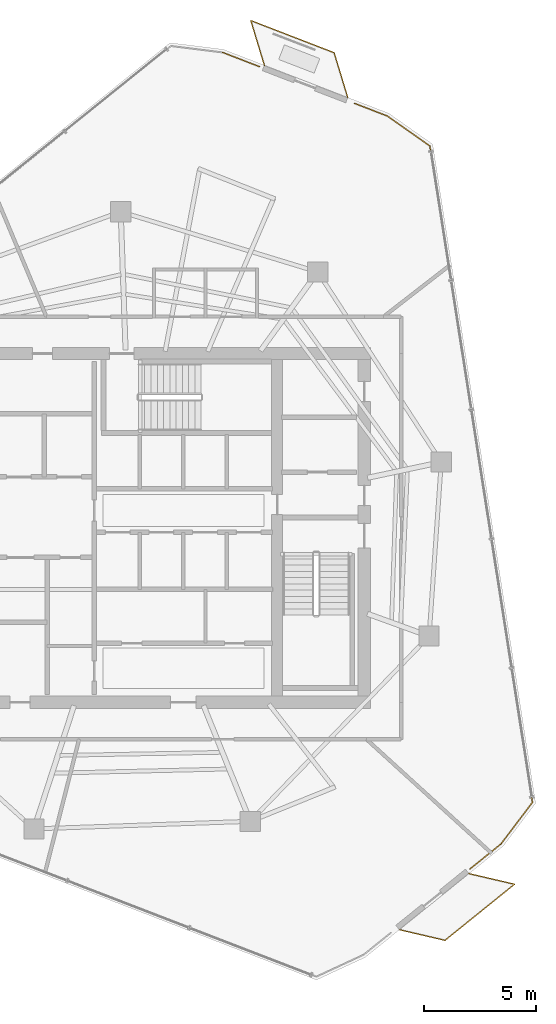
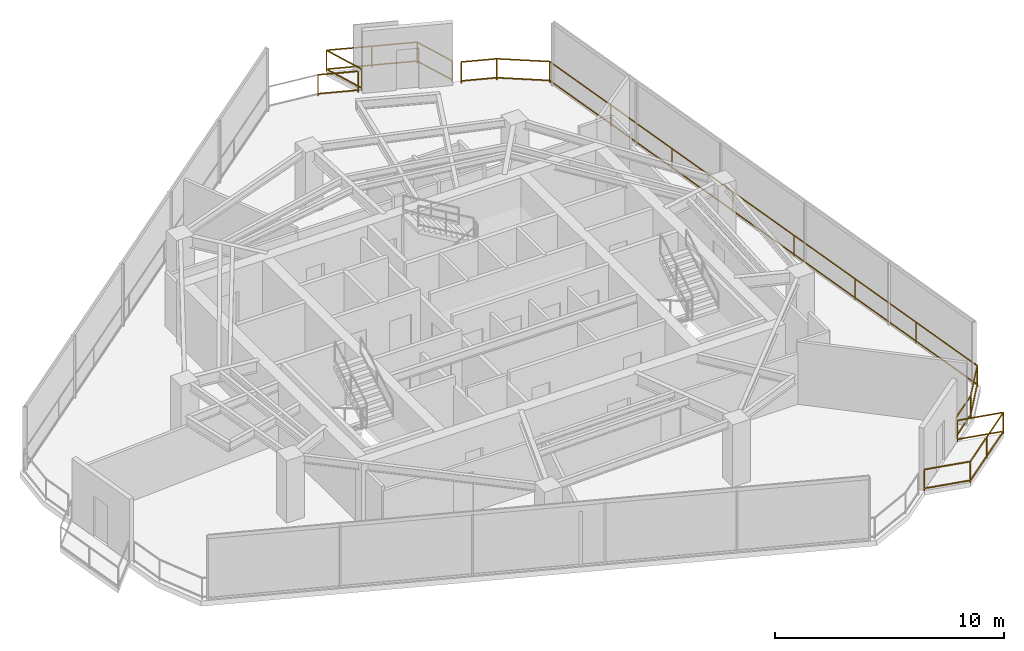
# One storey, part 19 of 19: 4 railings.
"""IFC4 building model written with IfcOpenShell, lengths in metres."""

from ifc_helpers import new_model, si_unit, direction, frame, origin, origin_2d, place, context, subcontext, project, spatial, rectangle, extrude, material, type_object, element, save


model = new_model("IFC4")

# Units and contexts
model_context = context("Model", 3, precision=1e-05, world=origin(), true_north=direction((0.0, 1.0)))
body_context = subcontext(model_context, "Body", "Model", "MODEL_VIEW")
ifc_project = project(units=[si_unit("LENGTHUNIT", "METRE"), si_unit("AREAUNIT", "SQUARE_METRE"), si_unit("VOLUMEUNIT", "CUBIC_METRE"), si_unit("PLANEANGLEUNIT", "RADIAN"), si_unit("MASSUNIT", "GRAM", prefix="KILO")], contexts=[model_context])

# Site, building, storey
site_placement = place(None, origin())
site = spatial("IfcSite", under=ifc_project, at=site_placement, CompositionType="ELEMENT")
building_placement = place(site_placement, origin())
building = spatial("IfcBuilding", under=site, at=building_placement, Name="Qarnah Convention Tower", CompositionType="ELEMENT")
storey_placement = place(building_placement, frame((0.0, 0.0, 213.0)))
storey = spatial("IfcBuildingStorey", under=building, at=storey_placement, Name="L57", CompositionType="ELEMENT", Elevation=213.0)

# Railings
ifc_material = material(Name="Black anodised aluminium", Category="aluminium")
railing_type = type_object("IfcRailingType", Name="RL-EXT-GUARD-1150", PredefinedType="GUARDRAIL", material=ifc_material)
railing_1_placement = place(storey_placement, frame((41.26611328125, 47.6630859375, 0.0)))
element("IfcRailing", 1, at=railing_1_placement, inside=storey, type_object=railing_type, Name="L57 slab-edge perimeter safety guard 01", PredefinedType="GUARDRAIL", context=body_context, shape_type="SweptSolid", body=[
    extrude(rectangle(XDim=0.048095703125, YDim=0.048095703125, at=origin_2d()), frame((0.0, 0.0, 1.1259765625), z_axis=(0.932804454432, -0.360382921059, 0.0), x_axis=(0.360382921059, 0.932804454432, 0.0)), (0.0, 0.0, 1.0), 1.770751953125),
    extrude(rectangle(XDim=0.048095703125, YDim=0.048095703125, at=origin_2d()), frame((0.0, 0.0, 0.1201171875), z_axis=(0.932804454432, -0.360382921059, 0.0), x_axis=(0.360382921059, 0.932804454432, 0.0)), (0.0, 0.0, 1.0), 1.770751953125),
    extrude(rectangle(XDim=0.0419921875, YDim=0.0419921875, at=origin_2d()), origin(), (0.0, 0.0, 1.0), 1.101806640625),
    extrude(rectangle(XDim=0.0419921875, YDim=0.0419921875, at=origin_2d()), frame((1.65185546875, -0.63818359375, 0.0)), (0.0, 0.0, 1.0), 1.101806640625),
])
railing_2_placement = place(storey_placement, frame((47.169921875, 45.383056640625, 0.0)))
element("IfcRailing", 2, at=railing_2_placement, inside=storey, type_object=railing_type, Name="L57 slab-edge perimeter safety guard 02", PredefinedType="GUARDRAIL", context=body_context, shape_type="SweptSolid", body=[
    extrude(rectangle(XDim=0.048095703125, YDim=0.048095703125, at=origin_2d()), frame((0.0, 0.0, 1.1259765625), z_axis=(0.932917598704, -0.360089924919, 0.0), x_axis=(0.360089924919, 0.932917598704, 0.0)), (0.0, 0.0, 1.0), 1.560791015625),
    extrude(rectangle(XDim=0.048095703125, YDim=0.048095703125, at=origin_2d()), frame((0.0, 0.0, 0.1201171875), z_axis=(0.932917598704, -0.360089924919, 0.0), x_axis=(0.360089924919, 0.932917598704, 0.0)), (0.0, 0.0, 1.0), 1.560791015625),
    extrude(rectangle(XDim=0.048095703125, YDim=0.048095703125, at=origin_2d()), frame((1.4560546875, -0.56201171875, 1.1259765625), z_axis=(0.817766206754, -0.575550546079, 0.0), x_axis=(0.575550546079, 0.817766206754, 0.0)), (0.0, 0.0, 1.0), 2.328369140625),
    extrude(rectangle(XDim=0.048095703125, YDim=0.048095703125, at=origin_2d()), frame((1.4560546875, -0.56201171875, 0.1201171875), z_axis=(0.817766206754, -0.575550546079, 0.0), x_axis=(0.575550546079, 0.817766206754, 0.0)), (0.0, 0.0, 1.0), 2.328369140625),
    extrude(rectangle(XDim=0.048095703125, YDim=0.048095703125, at=origin_2d()), frame((3.360107421875, -1.902099609375, 1.1259765625), z_axis=(0.154378384217, -0.988011798759, 0.0), x_axis=(0.988011798759, 0.154378384217, 0.0)), (0.0, 0.0, 1.0), 29.712158203125),
    extrude(rectangle(XDim=0.048095703125, YDim=0.048095703125, at=origin_2d()), frame((3.360107421875, -1.902099609375, 0.1201171875), z_axis=(0.154378384217, -0.988011798759, 0.0), x_axis=(0.988011798759, 0.154378384217, 0.0)), (0.0, 0.0, 1.0), 29.712158203125),
    extrude(rectangle(XDim=0.048095703125, YDim=0.048095703125, at=origin_2d()), frame((7.947021484375, -31.258056640625, 1.1259765625), z_axis=(-0.603649803917, -0.797249593435, 0.0), x_axis=(0.797249593435, -0.603649803917, 0.0)), (0.0, 0.0, 1.0), 2.3291015625),
    extrude(rectangle(XDim=0.048095703125, YDim=0.048095703125, at=origin_2d()), frame((7.947021484375, -31.258056640625, 0.1201171875), z_axis=(-0.603649803917, -0.797249593435, 0.0), x_axis=(0.797249593435, -0.603649803917, 0.0)), (0.0, 0.0, 1.0), 2.3291015625),
    extrude(rectangle(XDim=0.048095703125, YDim=0.048095703125, at=origin_2d()), frame((6.541015625, -33.114990234375, 1.1259765625), z_axis=(-0.778402177199, -0.627765920174, 0.0), x_axis=(0.627765920174, -0.778402177199, 0.0)), (0.0, 0.0, 1.0), 1.771484375),
    extrude(rectangle(XDim=0.048095703125, YDim=0.048095703125, at=origin_2d()), frame((6.541015625, -33.114990234375, 0.1201171875), z_axis=(-0.778402177199, -0.627765920174, 0.0), x_axis=(0.627765920174, -0.778402177199, 0.0)), (0.0, 0.0, 1.0), 1.771484375),
    extrude(rectangle(XDim=0.0419921875, YDim=0.0419921875, at=origin_2d()), origin(), (0.0, 0.0, 1.0), 1.101806640625),
    extrude(rectangle(XDim=0.0419921875, YDim=0.0419921875, at=origin_2d()), frame((1.4560546875, -0.56201171875, 0.0)), (0.0, 0.0, 1.0), 1.101806640625),
    extrude(rectangle(XDim=0.0419921875, YDim=0.0419921875, at=origin_2d()), frame((3.360107421875, -1.902099609375, 0.0)), (0.0, 0.0, 1.0), 1.101806640625),
    extrude(rectangle(XDim=0.0419921875, YDim=0.0419921875, at=origin_2d()), frame((4.015380859375, -6.095703125, 0.0)), (0.0, 0.0, 1.0), 1.101806640625),
    extrude(rectangle(XDim=0.0419921875, YDim=0.0419921875, at=origin_2d()), frame((4.670654296875, -10.28955078125, 0.0)), (0.0, 0.0, 1.0), 1.101806640625),
    extrude(rectangle(XDim=0.0419921875, YDim=0.0419921875, at=origin_2d()), frame((5.325927734375, -14.483154296875, 0.0)), (0.0, 0.0, 1.0), 1.101806640625),
    extrude(rectangle(XDim=0.0419921875, YDim=0.0419921875, at=origin_2d()), frame((5.981201171875, -18.677001953125, 0.0)), (0.0, 0.0, 1.0), 1.101806640625),
    extrude(rectangle(XDim=0.0419921875, YDim=0.0419921875, at=origin_2d()), frame((6.636474609375, -22.87060546875, 0.0)), (0.0, 0.0, 1.0), 1.101806640625),
    extrude(rectangle(XDim=0.0419921875, YDim=0.0419921875, at=origin_2d()), frame((7.291748046875, -27.064453125, 0.0)), (0.0, 0.0, 1.0), 1.101806640625),
    extrude(rectangle(XDim=0.0419921875, YDim=0.0419921875, at=origin_2d()), frame((7.947021484375, -31.258056640625, 0.0)), (0.0, 0.0, 1.0), 1.101806640625),
    extrude(rectangle(XDim=0.0419921875, YDim=0.0419921875, at=origin_2d()), frame((6.541015625, -33.114990234375, 0.0)), (0.0, 0.0, 1.0), 1.101806640625),
    extrude(rectangle(XDim=0.0419921875, YDim=0.0419921875, at=origin_2d()), frame((5.162109375, -34.22705078125, 0.0)), (0.0, 0.0, 1.0), 1.101806640625),
])
railing_3_placement = place(storey_placement, frame((43.12890625, 47.087890625, 0.0)))
element("IfcRailing", 3, at=railing_3_placement, inside=storey, type_object=railing_type, Name="L57 balcony safety guard BAL-L57-C1", PredefinedType="GUARDRAIL", context=body_context, shape_type="SweptSolid", body=[
    extrude(rectangle(XDim=0.048095703125, YDim=0.048095703125, at=origin_2d()), frame((0.0, 0.0, 1.1259765625), z_axis=(-0.290266217422, 0.956945935267, 0.0), x_axis=(-0.956945935267, -0.290266217422, 0.0)), (0.0, 0.0, 1.0), 2.09423828125),
    extrude(rectangle(XDim=0.048095703125, YDim=0.048095703125, at=origin_2d()), frame((0.0, 0.0, 0.1201171875), z_axis=(-0.290266217422, 0.956945935267, 0.0), x_axis=(-0.956945935267, -0.290266217422, 0.0)), (0.0, 0.0, 1.0), 2.09423828125),
    extrude(rectangle(XDim=0.048095703125, YDim=0.048095703125, at=origin_2d()), frame((-0.60791015625, 2.004150390625, 1.1259765625), z_axis=(0.932827046958, -0.360324437783, 0.0), x_axis=(0.360324437783, 0.932827046958, 0.0)), (0.0, 0.0, 1.0), 3.99951171875),
    extrude(rectangle(XDim=0.048095703125, YDim=0.048095703125, at=origin_2d()), frame((-0.60791015625, 2.004150390625, 0.1201171875), z_axis=(0.932827046958, -0.360324437783, 0.0), x_axis=(0.360324437783, 0.932827046958, 0.0)), (0.0, 0.0, 1.0), 3.99951171875),
    extrude(rectangle(XDim=0.048095703125, YDim=0.048095703125, at=origin_2d()), frame((3.123046875, 0.56298828125, 1.1259765625), z_axis=(0.290405356478, -0.95690371978, 0.0), x_axis=(0.95690371978, 0.290405356478, 0.0)), (0.0, 0.0, 1.0), 2.09423828125),
    extrude(rectangle(XDim=0.048095703125, YDim=0.048095703125, at=origin_2d()), frame((3.123046875, 0.56298828125, 0.1201171875), z_axis=(0.290405356478, -0.95690371978, 0.0), x_axis=(0.95690371978, 0.290405356478, 0.0)), (0.0, 0.0, 1.0), 2.09423828125),
    extrude(rectangle(XDim=0.0419921875, YDim=0.0419921875, at=origin_2d()), origin(), (0.0, 0.0, 1.0), 1.101806640625),
    extrude(rectangle(XDim=0.0419921875, YDim=0.0419921875, at=origin_2d()), frame((-0.60791015625, 2.004150390625, 0.0)), (0.0, 0.0, 1.0), 1.101806640625),
    extrude(rectangle(XDim=0.0419921875, YDim=0.0419921875, at=origin_2d()), frame((1.257568359375, 1.28369140625, 0.0)), (0.0, 0.0, 1.0), 1.101806640625),
    extrude(rectangle(XDim=0.0419921875, YDim=0.0419921875, at=origin_2d()), frame((3.123046875, 0.56298828125, 0.0)), (0.0, 0.0, 1.0), 1.101806640625),
    extrude(rectangle(XDim=0.0419921875, YDim=0.0419921875, at=origin_2d()), frame((3.731201171875, -1.44091796875, 0.0)), (0.0, 0.0, 1.0), 1.101806640625),
])
railing_4_placement = place(storey_placement, frame((52.281982421875, 10.94189453125, 0.0)))
element("IfcRailing", 4, at=railing_4_placement, inside=storey, type_object=railing_type, Name="L57 balcony safety guard BAL-L57-C3", PredefinedType="GUARDRAIL", context=body_context, shape_type="SweptSolid", body=[
    extrude(rectangle(XDim=0.048095703125, YDim=0.048095703125, at=origin_2d()), frame((0.0, 0.0, 1.1259765625), z_axis=(0.973939175938, -0.226809350718, 0.0), x_axis=(0.226809350718, 0.973939175938, 0.0)), (0.0, 0.0, 1.0), 2.093505859375),
    extrude(rectangle(XDim=0.048095703125, YDim=0.048095703125, at=origin_2d()), frame((0.0, 0.0, 0.1201171875), z_axis=(0.973939175938, -0.226809350718, 0.0), x_axis=(0.226809350718, 0.973939175938, 0.0)), (0.0, 0.0, 1.0), 2.093505859375),
    extrude(rectangle(XDim=0.048095703125, YDim=0.048095703125, at=origin_2d()), frame((2.0390625, -0.474853515625, 1.1259765625), z_axis=(-0.778355303503, -0.627824037058, 0.0), x_axis=(0.627824037058, -0.778355303503, 0.0)), (0.0, 0.0, 1.0), 3.99951171875),
    extrude(rectangle(XDim=0.048095703125, YDim=0.048095703125, at=origin_2d()), frame((2.0390625, -0.474853515625, 0.1201171875), z_axis=(-0.778355303503, -0.627824037058, 0.0), x_axis=(0.627824037058, -0.778355303503, 0.0)), (0.0, 0.0, 1.0), 3.99951171875),
    extrude(rectangle(XDim=0.048095703125, YDim=0.048095703125, at=origin_2d()), frame((-1.073974609375, -2.98583984375, 1.1259765625), z_axis=(-0.973860119031, 0.227148560554, 0.0), x_axis=(-0.227148560554, -0.973860119031, 0.0)), (0.0, 0.0, 1.0), 2.0947265625),
    extrude(rectangle(XDim=0.048095703125, YDim=0.048095703125, at=origin_2d()), frame((-1.073974609375, -2.98583984375, 0.1201171875), z_axis=(-0.973860119031, 0.227148560554, 0.0), x_axis=(-0.227148560554, -0.973860119031, 0.0)), (0.0, 0.0, 1.0), 2.0947265625),
    extrude(rectangle(XDim=0.0419921875, YDim=0.0419921875, at=origin_2d()), origin(), (0.0, 0.0, 1.0), 1.101806640625),
    extrude(rectangle(XDim=0.0419921875, YDim=0.0419921875, at=origin_2d()), frame((2.0390625, -0.474853515625, 0.0)), (0.0, 0.0, 1.0), 1.101806640625),
    extrude(rectangle(XDim=0.0419921875, YDim=0.0419921875, at=origin_2d()), frame((0.482421875, -1.73046875, 0.0)), (0.0, 0.0, 1.0), 1.101806640625),
    extrude(rectangle(XDim=0.0419921875, YDim=0.0419921875, at=origin_2d()), frame((-1.073974609375, -2.98583984375, 0.0)), (0.0, 0.0, 1.0), 1.101806640625),
    extrude(rectangle(XDim=0.0419921875, YDim=0.0419921875, at=origin_2d()), frame((-3.114013671875, -2.510009765625, 0.0)), (0.0, 0.0, 1.0), 1.101806640625),
])

save(model, "model.ifc")
